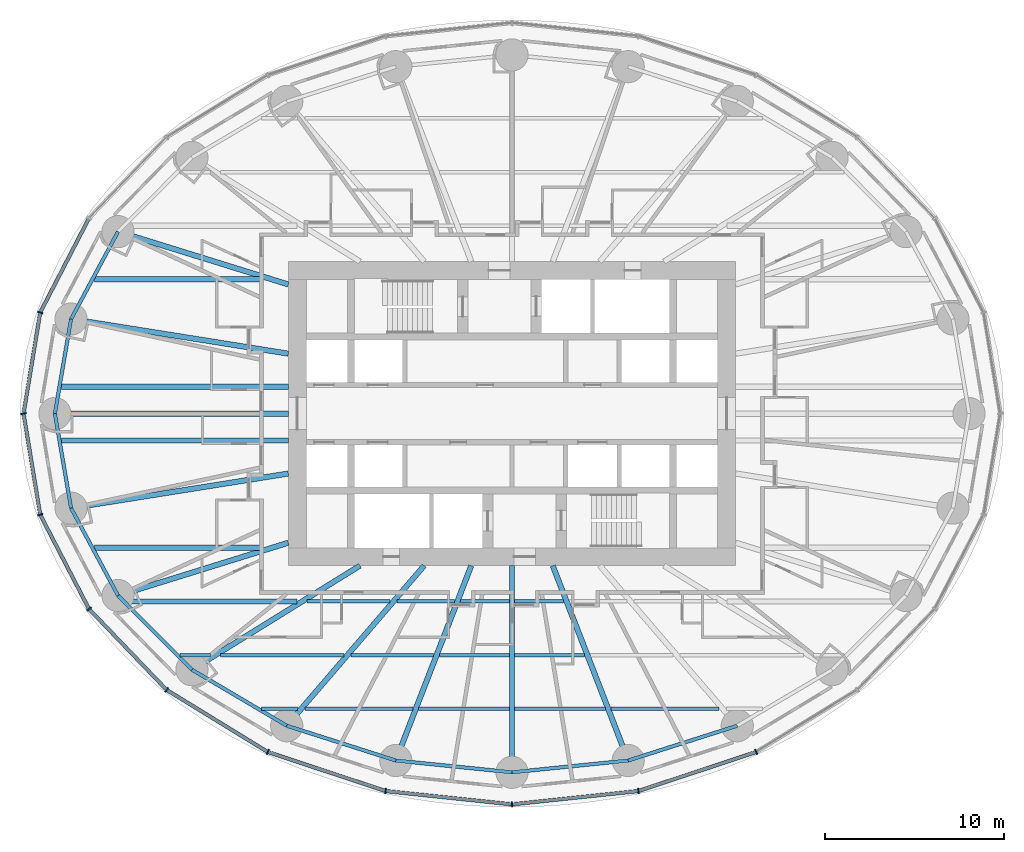
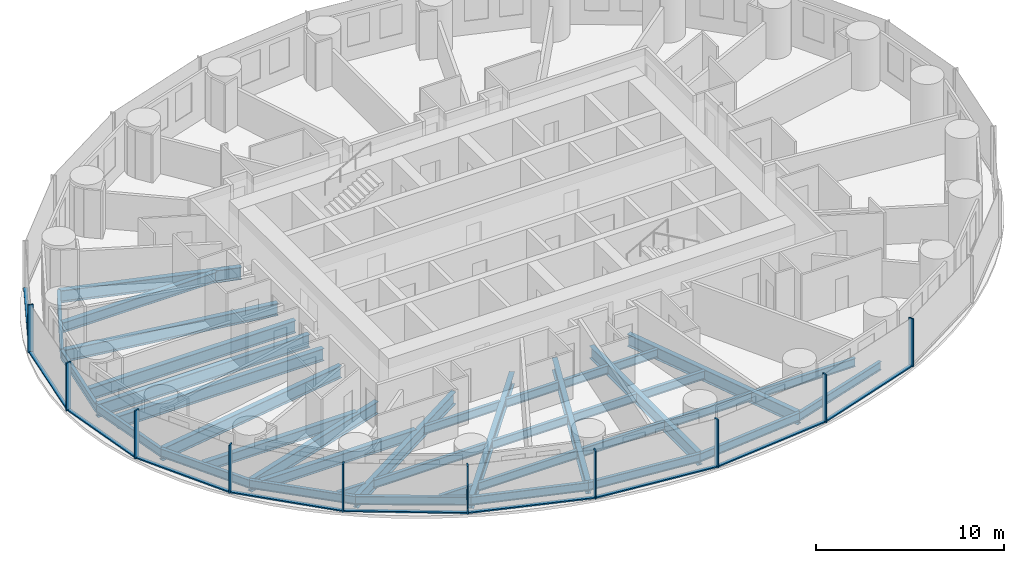
# One storey, part 2 of 14: 39 beams, 20 members, 3 elements without a shape of their own.
"""IFC4 building model written with IfcOpenShell, lengths in metres."""

from ifc_helpers import new_model, si_unit, direction, frame, origin, origin_2d, place, context, subcontext, project, spatial, rectangle, i_section, extrude, material, material_profile, profile_set, type_object, element, aggregate, save


model = new_model("IFC4")

# Units and contexts
model_context = context("Model", 3, precision=1e-05, world=origin(), true_north=direction((0.0, 1.0)))
body_context = subcontext(model_context, "Body", "Model", "MODEL_VIEW")
ifc_project = project(units=[si_unit("LENGTHUNIT", "METRE"), si_unit("AREAUNIT", "SQUARE_METRE"), si_unit("VOLUMEUNIT", "CUBIC_METRE"), si_unit("PLANEANGLEUNIT", "RADIAN"), si_unit("MASSUNIT", "GRAM", prefix="KILO")], contexts=[model_context])

# Site, building, storey
site_placement = place(None, origin())
site = spatial("IfcSite", under=ifc_project, at=site_placement, CompositionType="ELEMENT")
building_placement = place(site_placement, origin())
building = spatial("IfcBuilding", under=site, at=building_placement, Name="Hankou Lantern Tower", CompositionType="ELEMENT")
storey_placement = place(building_placement, frame((0.0, 0.0, 36.0)))
storey = spatial("IfcBuildingStorey", under=building, at=storey_placement, Name="L07", CompositionType="ELEMENT", Elevation=36.0)

# Beams
ifc_material_1 = material(Name="Steel Q355B", Category="steel")
ifc_material_profile_1 = material_profile(ifc_material_1, i_section(OverallWidth=0.199951171875, OverallDepth=0.550048828125, WebThickness=0.010009765625, FlangeThickness=0.01611328125, FilletRadius=0.012939453125, at=origin_2d()), Name="HN550x200x10x16")
ifc_profile_set_1 = profile_set([ifc_material_profile_1], Name="Steel Q355B")
beam_type_1 = type_object("IfcBeamType", Name="EB6 RING BEAM HN550x200x10x16", PredefinedType="SPANDREL", material=ifc_profile_set_1)
beam_1_placement = place(storey_placement, frame((-22.01904296875, 10.170166015625, -0.455078125), z_axis=(-0.473609096023, -0.880735161194, 0.0), x_axis=(0.880735161194, -0.473609096023, 0.0)))
element("IfcBeam", 1, at=beam_1_placement, inside=storey, type_object=beam_type_1, Name="Ring beam R11-R12 L07", PredefinedType="SPANDREL", context=body_context, shape_type="SweptSolid", body=[
    extrude(i_section(OverallWidth=0.199951171875, OverallDepth=0.550048828125, WebThickness=0.010009765625, FlangeThickness=0.01611328125, FilletRadius=0.012939453125, at=origin_2d()), origin(), (0.0, 0.0, 1.0), 5.548828125),
])
for number, where, z_axis, x_axis, name in (
    (2, (-24.64697265625, 5.283203125, -0.455078125), (-0.168489691988, -0.985703415685, 0.0), (0.985703415685, -0.168489691988, 0.0), "Ring beam R12-R13 L07"),
    (3, (-25.550048828125, 0.0, -0.455078125), (0.168489691988, -0.985703415685, 0.0), (0.985703415685, 0.168489691988, 0.0), "Ring beam R13-R14 L07"),
):
    element("IfcBeam", number, at=place(storey_placement, frame(where, z_axis=z_axis, x_axis=x_axis)), inside=storey, type_object=beam_type_1, Name=name, PredefinedType="SPANDREL", context=body_context, shape_type="SweptSolid", body=[
        extrude(i_section(OverallWidth=0.199951171875, OverallDepth=0.550048828125, WebThickness=0.010009765625, FlangeThickness=0.01611328125, FilletRadius=0.012939453125, at=origin_2d()), origin(), (0.0, 0.0, 1.0), 5.35986328125),
    ])
beam_2_placement = place(storey_placement, frame((-24.64697265625, -5.283203125, -0.455078125), z_axis=(0.473609096023, -0.880735161194, 0.0), x_axis=(0.880735161194, 0.473609096023, 0.0)))
element("IfcBeam", 4, at=beam_2_placement, inside=storey, type_object=beam_type_1, Name="Ring beam R14-R15 L07", PredefinedType="SPANDREL", context=body_context, shape_type="SweptSolid", body=[
    extrude(i_section(OverallWidth=0.199951171875, OverallDepth=0.550048828125, WebThickness=0.010009765625, FlangeThickness=0.01611328125, FilletRadius=0.012939453125, at=origin_2d()), origin(), (0.0, 0.0, 1.0), 5.548828125),
])
beam_3_placement = place(storey_placement, frame((-22.01904296875, -10.170166015625, -0.455078125), z_axis=(0.705727798394, -0.708483079949, 0.0), x_axis=(0.708483079949, 0.705727798394, 0.0)))
element("IfcBeam", 5, at=beam_3_placement, inside=storey, type_object=beam_type_1, Name="Ring beam R15-R16 L07", PredefinedType="SPANDREL", context=body_context, shape_type="SweptSolid", body=[
    extrude(i_section(OverallWidth=0.199951171875, OverallDepth=0.550048828125, WebThickness=0.010009765625, FlangeThickness=0.01611328125, FilletRadius=0.012939453125, at=origin_2d()), origin(), (0.0, 0.0, 1.0), 5.84814453125),
])
beam_4_placement = place(storey_placement, frame((-17.891845703125, -14.3134765625, -0.455078125), z_axis=(0.860881533543, -0.508805449268, 0.0), x_axis=(0.508805449268, 0.860881533543, 0.0)))
element("IfcBeam", 6, at=beam_4_placement, inside=storey, type_object=beam_type_1, Name="Ring beam R16-R17 L07", PredefinedType="SPANDREL", context=body_context, shape_type="SweptSolid", body=[
    extrude(i_section(OverallWidth=0.199951171875, OverallDepth=0.550048828125, WebThickness=0.010009765625, FlangeThickness=0.01611328125, FilletRadius=0.012939453125, at=origin_2d()), origin(), (0.0, 0.0, 1.0), 6.15771484375),
])
beam_5_placement = place(storey_placement, frame((-12.5908203125, -17.446533203125, -0.455078125), z_axis=(0.952690479428, -0.303942182671, 0.0), x_axis=(0.303942182671, 0.952690479428, 0.0)))
element("IfcBeam", 7, at=beam_5_placement, inside=storey, type_object=beam_type_1, Name="Ring beam R17-R18 L07", PredefinedType="SPANDREL", context=body_context, shape_type="SweptSolid", body=[
    extrude(i_section(OverallWidth=0.199951171875, OverallDepth=0.550048828125, WebThickness=0.010009765625, FlangeThickness=0.01611328125, FilletRadius=0.012939453125, at=origin_2d()), origin(), (0.0, 0.0, 1.0), 6.398681640625),
])
for number, where, z_axis, x_axis, name in (
    (8, (-6.494873046875, -19.391357421875, -0.455078125), (0.994896616842, -0.100899562915, 0.0), (0.100899562915, 0.994896616842, 0.0), "Ring beam R18-R19 L07"),
    (9, (0.0, -20.050048828125, -0.455078125), (0.994896616842, 0.100899562915, 0.0), (-0.100899562915, 0.994896616842, 0.0), "Ring beam R19-R20 L07"),
):
    element("IfcBeam", number, at=place(storey_placement, frame(where, z_axis=z_axis, x_axis=x_axis)), inside=storey, type_object=beam_type_1, Name=name, PredefinedType="SPANDREL", context=body_context, shape_type="SweptSolid", body=[
        extrude(i_section(OverallWidth=0.199951171875, OverallDepth=0.550048828125, WebThickness=0.010009765625, FlangeThickness=0.01611328125, FilletRadius=0.012939453125, at=origin_2d()), origin(), (0.0, 0.0, 1.0), 6.528076171875),
    ])
beam_6_placement = place(storey_placement, frame((6.494873046875, -19.391357421875, -0.455078125), z_axis=(0.952690479428, 0.303942182671, 0.0), x_axis=(-0.303942182671, 0.952690479428, 0.0)))
element("IfcBeam", 10, at=beam_6_placement, inside=storey, type_object=beam_type_1, Name="Ring beam R20-R21 L07", PredefinedType="SPANDREL", context=body_context, shape_type="SweptSolid", body=[
    extrude(i_section(OverallWidth=0.199951171875, OverallDepth=0.550048828125, WebThickness=0.010009765625, FlangeThickness=0.01611328125, FilletRadius=0.012939453125, at=origin_2d()), origin(), (0.0, 0.0, 1.0), 6.398681640625),
])

# Curtain wall, member
ifc_material_2 = material(Name="Glass, dark grey tinted laminated", Category="glass")
curtain_wall_type = type_object("IfcCurtainWallType", Name="CWA OUTER SKIN LOW-RISE", PredefinedType="USERDEFINED", material=ifc_material_2)
curtain_wall_1_placement = place(storey_placement, origin())
curtain_wall_1 = element("IfcCurtainWall", 11, at=curtain_wall_1_placement, inside=storey, type_object=curtain_wall_type, Name="CWA L07 OS2", ObjectType="OUTER SKIN LOW-RISE", PredefinedType="USERDEFINED")
ifc_material_3 = material(Name="Aluminium, black anodised", Category="aluminium")
ifc_material_profile_2 = material_profile(ifc_material_3, rectangle(XDim=0.080078125, YDim=0.300048828125, at=origin_2d()), Name="MU1 80X300")
ifc_profile_set_2 = profile_set([ifc_material_profile_2], Name="Aluminium, black anodised")
member_type_1 = type_object("IfcMemberType", Name="MU1 OUTER SKIN MULLION 80X300", PredefinedType="MULLION", material=ifc_profile_set_2)
member_1_placement = place(storey_placement, frame((-26.369873046875, 5.652587890625, 0.0), z_axis=(0.0, 0.0, 1.0), x_axis=(-0.317595577365, -0.94822626479, 0.0)))
member_1 = element("IfcMember", 12, at=member_1_placement, type_object=member_type_1, Name="CWA mullion 6", PredefinedType="MULLION", context=body_context, shape_type="SweptSolid", body=[
    extrude(rectangle(XDim=0.080078125, YDim=0.300048828125, at=origin_2d()), origin(), (0.0, 0.0, 1.0), 3.1201171875),
])

# Curtain wall, members
curtain_wall_2_placement = place(storey_placement, origin())
curtain_wall_2 = element("IfcCurtainWall", 13, at=curtain_wall_2_placement, inside=storey, type_object=curtain_wall_type, Name="CWA L07 OS3", ObjectType="OUTER SKIN LOW-RISE", PredefinedType="USERDEFINED")
member_2_placement = place(storey_placement, frame((-27.300048828125, 0.0, 0.0), z_axis=(0.0, 0.0, 1.0), x_axis=(0.162381515188, -0.986728049427, 0.0)))
member_2 = element("IfcMember", 14, at=member_2_placement, type_object=member_type_1, Name="CWA mullion 1", PredefinedType="MULLION", context=body_context, shape_type="SweptSolid", body=[
    extrude(rectangle(XDim=0.080078125, YDim=0.300048828125, at=origin_2d()), origin(), (0.0, 0.0, 1.0), 3.1201171875),
])
member_3_placement = place(storey_placement, frame((-26.369873046875, -5.652587890625, 0.0), z_axis=(0.0, 0.0, 1.0), x_axis=(0.317595577365, -0.94822626479, 0.0)))
member_3 = element("IfcMember", 15, at=member_3_placement, type_object=member_type_1, Name="CWA mullion 2", PredefinedType="MULLION", context=body_context, shape_type="SweptSolid", body=[
    extrude(rectangle(XDim=0.080078125, YDim=0.300048828125, at=origin_2d()), origin(), (0.0, 0.0, 1.0), 3.1201171875),
])
member_4_placement = place(storey_placement, frame((-23.642578125, -10.919921875, 0.0), z_axis=(0.0, 0.0, 1.0), x_axis=(0.585205735974, -0.810884854084, 0.0)))
member_4 = element("IfcMember", 16, at=member_4_placement, type_object=member_type_1, Name="CWA mullion 3", PredefinedType="MULLION", context=body_context, shape_type="SweptSolid", body=[
    extrude(rectangle(XDim=0.080078125, YDim=0.300048828125, at=origin_2d()), origin(), (0.0, 0.0, 1.0), 3.1201171875),
])
member_5_placement = place(storey_placement, frame((-19.303955078125, -15.443115234375, 0.0), z_axis=(0.0, 0.0, 1.0), x_axis=(0.780868809444, -0.624695047553, 0.0)))
member_5 = element("IfcMember", 17, at=member_5_placement, type_object=member_type_1, Name="CWA mullion 4", PredefinedType="MULLION", context=body_context, shape_type="SweptSolid", body=[
    extrude(rectangle(XDim=0.080078125, YDim=0.300048828125, at=origin_2d()), origin(), (0.0, 0.0, 1.0), 3.1201171875),
])
member_6_placement = place(storey_placement, frame((-13.64990234375, -18.9140625, 0.0), z_axis=(0.0, 0.0, 1.0), x_axis=(0.907841299004, -0.419313934686, 0.0)))
member_6 = element("IfcMember", 18, at=member_6_placement, type_object=member_type_1, Name="CWA mullion 5", PredefinedType="MULLION", context=body_context, shape_type="SweptSolid", body=[
    extrude(rectangle(XDim=0.080078125, YDim=0.300048828125, at=origin_2d()), origin(), (0.0, 0.0, 1.0), 3.1201171875),
])
member_7_placement = place(storey_placement, frame((-7.065673828125, -21.095703125, 0.0), z_axis=(0.0, 0.0, 1.0), x_axis=(0.977787659625, -0.209597931016, 0.0)))
member_7 = element("IfcMember", 19, at=member_7_placement, type_object=member_type_1, Name="CWA mullion 6", PredefinedType="MULLION", context=body_context, shape_type="SweptSolid", body=[
    extrude(rectangle(XDim=0.080078125, YDim=0.300048828125, at=origin_2d()), origin(), (0.0, 0.0, 1.0), 3.1201171875),
])

curtain_wall_3_placement = place(storey_placement, origin())
curtain_wall_3 = element("IfcCurtainWall", 20, at=curtain_wall_3_placement, inside=storey, type_object=curtain_wall_type, Name="CWA L07 OS4", ObjectType="OUTER SKIN LOW-RISE", PredefinedType="USERDEFINED")
member_8_placement = place(storey_placement, frame((0.0, -21.840087890625, 0.0), z_axis=(0.0, 0.0, 1.0), x_axis=(0.994499359107, 0.104742659579, 0.0)))
member_8 = element("IfcMember", 21, at=member_8_placement, type_object=member_type_1, Name="CWA mullion 1", PredefinedType="MULLION", context=body_context, shape_type="SweptSolid", body=[
    extrude(rectangle(XDim=0.080078125, YDim=0.300048828125, at=origin_2d()), origin(), (0.0, 0.0, 1.0), 3.1201171875),
])
member_9_placement = place(storey_placement, frame((7.065673828125, -21.095703125, 0.0), z_axis=(0.0, 0.0, 1.0), x_axis=(0.977787659625, 0.209597931016, 0.0)))
member_9 = element("IfcMember", 22, at=member_9_placement, type_object=member_type_1, Name="CWA mullion 2", PredefinedType="MULLION", context=body_context, shape_type="SweptSolid", body=[
    extrude(rectangle(XDim=0.080078125, YDim=0.300048828125, at=origin_2d()), origin(), (0.0, 0.0, 1.0), 3.1201171875),
])
member_10_placement = place(storey_placement, frame((13.64990234375, -18.9140625, 0.0), z_axis=(0.0, 0.0, 1.0), x_axis=(0.907841299004, 0.419313934686, 0.0)))
member_10 = element("IfcMember", 23, at=member_10_placement, type_object=member_type_1, Name="CWA mullion 3", PredefinedType="MULLION", context=body_context, shape_type="SweptSolid", body=[
    extrude(rectangle(XDim=0.080078125, YDim=0.300048828125, at=origin_2d()), origin(), (0.0, 0.0, 1.0), 3.1201171875),
])

# Beams
ifc_material_4 = material(Name="Steel Q355B", Category="steel")
ifc_material_profile_3 = material_profile(ifc_material_4, i_section(OverallWidth=0.300048828125, OverallDepth=0.800048828125, WebThickness=0.013916015625, FlangeThickness=0.02587890625, FilletRadius=0.01806640625, at=origin_2d()), Name="HN800x300x14x26")
ifc_profile_set_3 = profile_set([ifc_material_profile_3], Name="Steel Q355B")
beam_type_2 = type_object("IfcBeamType", Name="RB11 RADIAL BEAM HN800x300x14x26", PredefinedType="BEAM", material=ifc_profile_set_3)
beam_7_placement = place(storey_placement, frame((-12.5, 7.216796875, -0.580078125), z_axis=(-0.955087327755, 0.29632447817, 0.0), x_axis=(-0.29632447817, -0.955087327755, 0.0)))
element("IfcBeam", 24, at=beam_7_placement, inside=storey, type_object=beam_type_2, Name="Radial beam R11 L07", PredefinedType="BEAM", context=body_context, shape_type="SweptSolid", body=[
    extrude(i_section(OverallWidth=0.300048828125, OverallDepth=0.800048828125, WebThickness=0.013916015625, FlangeThickness=0.02587890625, FilletRadius=0.01806640625, at=origin_2d()), origin(), (0.0, 0.0, 1.0), 9.966552734375),
])
for number, where, z_axis, x_axis, name in (
    (25, (-12.5, 3.349365234375, -0.580078125), (-0.987563081343, 0.157223281893, 0.0), (-0.157223281893, -0.987563081343, 0.0), "Radial beam R12 L07"),
    (26, (-12.5, -3.349365234375, -0.580078125), (-0.987563081343, -0.157223281893, 0.0), (0.157223281893, -0.987563081343, 0.0), "Radial beam R14 L07"),
):
    element("IfcBeam", number, at=place(storey_placement, frame(where, z_axis=z_axis, x_axis=x_axis)), inside=storey, type_object=beam_type_2, Name=name, PredefinedType="BEAM", context=body_context, shape_type="SweptSolid", body=[
        extrude(i_section(OverallWidth=0.300048828125, OverallDepth=0.800048828125, WebThickness=0.013916015625, FlangeThickness=0.02587890625, FilletRadius=0.01806640625, at=origin_2d()), origin(), (0.0, 0.0, 1.0), 12.300048828125),
    ])
beam_8_placement = place(storey_placement, frame((-12.5, -7.216796875, -0.580078125), z_axis=(-0.955087327755, -0.29632447817, 0.0), x_axis=(0.29632447817, -0.955087327755, 0.0)))
element("IfcBeam", 27, at=beam_8_placement, inside=storey, type_object=beam_type_2, Name="Radial beam R15 L07", PredefinedType="BEAM", context=body_context, shape_type="SweptSolid", body=[
    extrude(i_section(OverallWidth=0.300048828125, OverallDepth=0.800048828125, WebThickness=0.013916015625, FlangeThickness=0.02587890625, FilletRadius=0.01806640625, at=origin_2d()), origin(), (0.0, 0.0, 1.0), 9.966552734375),
])
beam_9_placement = place(storey_placement, frame((-8.5, -8.5, -0.580078125), z_axis=(-0.850286343288, -0.526320372414, 0.0), x_axis=(0.526320372414, -0.850286343288, 0.0)))
element("IfcBeam", 28, at=beam_9_placement, inside=storey, type_object=beam_type_2, Name="Radial beam R16 L07", PredefinedType="BEAM", context=body_context, shape_type="SweptSolid", body=[
    extrude(i_section(OverallWidth=0.300048828125, OverallDepth=0.800048828125, WebThickness=0.013916015625, FlangeThickness=0.02587890625, FilletRadius=0.01806640625, at=origin_2d()), origin(), (0.0, 0.0, 1.0), 11.04541015625),
])
beam_10_placement = place(storey_placement, frame((-4.907470703125, -8.5, -0.580078125), z_axis=(-0.651519061225, -0.758632264579, 0.0), x_axis=(0.758632264579, -0.651519061225, 0.0)))
element("IfcBeam", 29, at=beam_10_placement, inside=storey, type_object=beam_type_2, Name="Radial beam R17 L07", PredefinedType="BEAM", context=body_context, shape_type="SweptSolid", body=[
    extrude(i_section(OverallWidth=0.300048828125, OverallDepth=0.800048828125, WebThickness=0.013916015625, FlangeThickness=0.02587890625, FilletRadius=0.01806640625, at=origin_2d()), origin(), (0.0, 0.0, 1.0), 11.79296875),
])
beam_11_placement = place(storey_placement, frame((-2.277587890625, -8.5, -0.580078125), z_axis=(-0.361089103374, -0.932531318201, 0.0), x_axis=(0.932531318201, -0.361089103374, 0.0)))
element("IfcBeam", 30, at=beam_11_placement, inside=storey, type_object=beam_type_2, Name="Radial beam R18 L07", PredefinedType="BEAM", context=body_context, shape_type="SweptSolid", body=[
    extrude(i_section(OverallWidth=0.300048828125, OverallDepth=0.800048828125, WebThickness=0.013916015625, FlangeThickness=0.02587890625, FilletRadius=0.01806640625, at=origin_2d()), origin(), (0.0, 0.0, 1.0), 11.679443359375),
])
beam_12_placement = place(storey_placement, frame((0.0, -8.5, -0.580078125), z_axis=(0.0, -1.0, 0.0), x_axis=(1.0, 0.0, 0.0)))
element("IfcBeam", 31, at=beam_12_placement, inside=storey, type_object=beam_type_2, Name="Radial beam R19 L07", PredefinedType="BEAM", context=body_context, shape_type="SweptSolid", body=[
    extrude(i_section(OverallWidth=0.300048828125, OverallDepth=0.800048828125, WebThickness=0.013916015625, FlangeThickness=0.02587890625, FilletRadius=0.01806640625, at=origin_2d()), origin(), (0.0, 0.0, 1.0), 11.550048828125),
])
beam_13_placement = place(storey_placement, frame((2.277587890625, -8.5, -0.580078125), z_axis=(0.361089103374, -0.932531318201, 0.0), x_axis=(0.932531318201, 0.361089103374, 0.0)))
element("IfcBeam", 32, at=beam_13_placement, inside=storey, type_object=beam_type_2, Name="Radial beam R20 L07", PredefinedType="BEAM", context=body_context, shape_type="SweptSolid", body=[
    extrude(i_section(OverallWidth=0.300048828125, OverallDepth=0.800048828125, WebThickness=0.013916015625, FlangeThickness=0.02587890625, FilletRadius=0.01806640625, at=origin_2d()), origin(), (0.0, 0.0, 1.0), 11.679443359375),
])
ifc_material_5 = material(Name="Steel Q355B", Category="steel")
ifc_material_profile_4 = material_profile(ifc_material_5, i_section(OverallWidth=0.300048828125, OverallDepth=0.85009765625, WebThickness=0.01611328125, FlangeThickness=0.027099609375, FilletRadius=0.01806640625, at=origin_2d()), Name="HN850x300x16x27")
ifc_profile_set_4 = profile_set([ifc_material_profile_4], Name="Steel Q355B")
beam_type_3 = type_object("IfcBeamType", Name="RB12 RADIAL BEAM HN850x300x16x27", PredefinedType="BEAM", material=ifc_profile_set_4)
beam_14_placement = place(storey_placement, frame((-12.5, 0.0, -0.60498046875), z_axis=(-1.0, 0.0, 0.0), x_axis=(0.0, -1.0, 0.0)))
element("IfcBeam", 33, at=beam_14_placement, inside=storey, type_object=beam_type_3, Name="Radial beam R13 L07", PredefinedType="BEAM", context=body_context, shape_type="SweptSolid", body=[
    extrude(i_section(OverallWidth=0.300048828125, OverallDepth=0.85009765625, WebThickness=0.01611328125, FlangeThickness=0.027099609375, FilletRadius=0.01806640625, at=origin_2d()), origin(), (0.0, 0.0, 1.0), 13.050048828125),
])
ifc_material_6 = material(Name="Steel Q355B", Category="steel")
ifc_material_profile_5 = material_profile(ifc_material_6, i_section(OverallWidth=0.300048828125, OverallDepth=0.800048828125, WebThickness=0.013916015625, FlangeThickness=0.02587890625, FilletRadius=0.01806640625, at=origin_2d()), Name="HN800x300x14x26")
ifc_profile_set_5 = profile_set([ifc_material_profile_5], Name="Steel Q355B")
beam_type_4 = type_object("IfcBeamType", Name="SB11 SECONDARY BEAM HN800x300x14x26", PredefinedType="JOIST", material=ifc_profile_set_5)
for number, where, z_axis, x_axis, name in (
    (34, (-25.192138671875, -1.5, -0.580078125), (1.0, 0.0, 0.0), (0.0, 1.0, 0.0), "Floor joist J029 L07"),
    (35, (-25.192138671875, 1.5, -0.580078125), (1.0, 0.0, 0.0), (0.0, 1.0, 0.0), "Floor joist J031 L07"),
):
    element("IfcBeam", number, at=place(storey_placement, frame(where, z_axis=z_axis, x_axis=x_axis)), inside=storey, type_object=beam_type_4, Name=name, PredefinedType="JOIST", context=body_context, shape_type="SweptSolid", body=[
        extrude(i_section(OverallWidth=0.300048828125, OverallDepth=0.800048828125, WebThickness=0.013916015625, FlangeThickness=0.02587890625, FilletRadius=0.01806640625, at=origin_2d()), origin(), (0.0, 0.0, 1.0), 12.692138671875),
    ])
ifc_material_7 = material(Name="Steel Q355B", Category="steel")
ifc_material_profile_6 = material_profile(ifc_material_7, i_section(OverallWidth=0.199951171875, OverallDepth=0.550048828125, WebThickness=0.010009765625, FlangeThickness=0.01611328125, FilletRadius=0.012939453125, at=origin_2d()), Name="HN550x200x10x16")
ifc_profile_set_6 = profile_set([ifc_material_profile_6], Name="Steel Q355B")
beam_type_5 = type_object("IfcBeamType", Name="SB6 SECONDARY BEAM HN550x200x10x16", PredefinedType="JOIST", material=ifc_profile_set_6)
beam_15_placement = place(storey_placement, frame((-13.99560546875, -16.5, -0.455078125), z_axis=(1.0, 0.0, 0.0), x_axis=(0.0, 1.0, 0.0)))
element("IfcBeam", 36, at=beam_15_placement, inside=storey, type_object=beam_type_5, Name="Floor joist J001 L07", PredefinedType="JOIST", context=body_context, shape_type="SweptSolid", body=[
    extrude(i_section(OverallWidth=0.199951171875, OverallDepth=0.550048828125, WebThickness=0.010009765625, FlangeThickness=0.01611328125, FilletRadius=0.012939453125, at=origin_2d()), origin(), (0.0, 0.0, 1.0), 2.019775390625),
])
beam_16_placement = place(storey_placement, frame((-11.580322265625, -16.5, -0.455078125), z_axis=(1.0, 0.0, 0.0), x_axis=(0.0, 1.0, 0.0)))
element("IfcBeam", 37, at=beam_16_placement, inside=storey, type_object=beam_type_5, Name="Floor joist J002 L07", PredefinedType="JOIST", context=body_context, shape_type="SweptSolid", body=[
    extrude(i_section(OverallWidth=0.199951171875, OverallDepth=0.550048828125, WebThickness=0.010009765625, FlangeThickness=0.01611328125, FilletRadius=0.012939453125, at=origin_2d()), origin(), (0.0, 0.0, 1.0), 6.044189453125),
])
for number, where, z_axis, x_axis, name in (
    (38, (-5.21435546875, -16.5, -0.455078125), (1.0, 0.0, 0.0), (0.0, 1.0, 0.0), "Floor joist J003 L07"),
    (39, (0.14990234375, -16.5, -0.455078125), (1.0, 0.0, 0.0), (0.0, 1.0, 0.0), "Floor joist J004 L07"),
):
    element("IfcBeam", number, at=place(storey_placement, frame(where, z_axis=z_axis, x_axis=x_axis)), inside=storey, type_object=beam_type_5, Name=name, PredefinedType="JOIST", context=body_context, shape_type="SweptSolid", body=[
        extrude(i_section(OverallWidth=0.199951171875, OverallDepth=0.550048828125, WebThickness=0.010009765625, FlangeThickness=0.01611328125, FilletRadius=0.012939453125, at=origin_2d()), origin(), (0.0, 0.0, 1.0), 5.064453125),
    ])
beam_17_placement = place(storey_placement, frame((5.5361328125, -16.5, -0.455078125), z_axis=(1.0, 0.0, 0.0), x_axis=(0.0, 1.0, 0.0)))
element("IfcBeam", 40, at=beam_17_placement, inside=storey, type_object=beam_type_5, Name="Floor joist J005 L07", PredefinedType="JOIST", context=body_context, shape_type="SweptSolid", body=[
    extrude(i_section(OverallWidth=0.199951171875, OverallDepth=0.550048828125, WebThickness=0.010009765625, FlangeThickness=0.01611328125, FilletRadius=0.012939453125, at=origin_2d()), origin(), (0.0, 0.0, 1.0), 6.044189453125),
])
beam_18_placement = place(storey_placement, frame((-18.560791015625, -13.5, -0.455078125), z_axis=(1.0, 0.0, 0.0), x_axis=(0.0, 1.0, 0.0)))
element("IfcBeam", 41, at=beam_18_placement, inside=storey, type_object=beam_type_5, Name="Floor joist J007 L07", PredefinedType="JOIST", context=body_context, shape_type="SweptSolid", body=[
    extrude(i_section(OverallWidth=0.199951171875, OverallDepth=0.550048828125, WebThickness=0.010009765625, FlangeThickness=0.01611328125, FilletRadius=0.012939453125, at=origin_2d()), origin(), (0.0, 0.0, 1.0), 1.697998046875),
])
beam_19_placement = place(storey_placement, frame((-16.292724609375, -13.5, -0.455078125), z_axis=(1.0, 0.0, 0.0), x_axis=(0.0, 1.0, 0.0)))
element("IfcBeam", 42, at=beam_19_placement, inside=storey, type_object=beam_type_5, Name="Floor joist J008 L07", PredefinedType="JOIST", context=body_context, shape_type="SweptSolid", body=[
    extrude(i_section(OverallWidth=0.199951171875, OverallDepth=0.550048828125, WebThickness=0.010009765625, FlangeThickness=0.01611328125, FilletRadius=0.012939453125, at=origin_2d()), origin(), (0.0, 0.0, 1.0), 6.893310546875),
])
beam_20_placement = place(storey_placement, frame((-9.00390625, -13.5, -0.455078125), z_axis=(1.0, 0.0, 0.0), x_axis=(0.0, 1.0, 0.0)))
element("IfcBeam", 43, at=beam_20_placement, inside=storey, type_object=beam_type_5, Name="Floor joist J009 L07", PredefinedType="JOIST", context=body_context, shape_type="SweptSolid", body=[
    extrude(i_section(OverallWidth=0.199951171875, OverallDepth=0.550048828125, WebThickness=0.010009765625, FlangeThickness=0.01611328125, FilletRadius=0.012939453125, at=origin_2d()), origin(), (0.0, 0.0, 1.0), 4.62939453125),
])
for number, where, z_axis, x_axis, name in (
    (44, (-4.052734375, -13.5, -0.455078125), (1.0, 0.0, 0.0), (0.0, 1.0, 0.0), "Floor joist J010 L07"),
    (45, (0.14990234375, -13.5, -0.455078125), (1.0, 0.0, 0.0), (0.0, 1.0, 0.0), "Floor joist J011 L07"),
):
    element("IfcBeam", number, at=place(storey_placement, frame(where, z_axis=z_axis, x_axis=x_axis)), inside=storey, type_object=beam_type_5, Name=name, PredefinedType="JOIST", context=body_context, shape_type="SweptSolid", body=[
        extrude(i_section(OverallWidth=0.199951171875, OverallDepth=0.550048828125, WebThickness=0.010009765625, FlangeThickness=0.01611328125, FilletRadius=0.012939453125, at=origin_2d()), origin(), (0.0, 0.0, 1.0), 3.90283203125),
    ])
beam_21_placement = place(storey_placement, frame((-11.446044921875, -10.5, -0.455078125), z_axis=(1.0, 0.0, 0.0), x_axis=(0.0, 1.0, 0.0)))
element("IfcBeam", 46, at=beam_21_placement, inside=storey, type_object=beam_type_5, Name="Floor joist J016 L07", PredefinedType="JOIST", context=body_context, shape_type="SweptSolid", body=[
    extrude(i_section(OverallWidth=0.199951171875, OverallDepth=0.550048828125, WebThickness=0.010009765625, FlangeThickness=0.01611328125, FilletRadius=0.012939453125, at=origin_2d()), origin(), (0.0, 0.0, 1.0), 4.623291015625),
])
beam_22_placement = place(storey_placement, frame((-6.427490234375, -10.5, -0.455078125), z_axis=(1.0, 0.0, 0.0), x_axis=(0.0, 1.0, 0.0)))
element("IfcBeam", 47, at=beam_22_placement, inside=storey, type_object=beam_type_5, Name="Floor joist J017 L07", PredefinedType="JOIST", context=body_context, shape_type="SweptSolid", body=[
    extrude(i_section(OverallWidth=0.199951171875, OverallDepth=0.550048828125, WebThickness=0.010009765625, FlangeThickness=0.01611328125, FilletRadius=0.012939453125, at=origin_2d()), origin(), (0.0, 0.0, 1.0), 3.214599609375),
])
for number, where, z_axis, x_axis, name in (
    (48, (-2.89111328125, -10.5, -0.455078125), (1.0, 0.0, 0.0), (0.0, 1.0, 0.0), "Floor joist J018 L07"),
    (49, (0.14990234375, -10.5, -0.455078125), (1.0, 0.0, 0.0), (0.0, 1.0, 0.0), "Floor joist J019 L07"),
):
    element("IfcBeam", number, at=place(storey_placement, frame(where, z_axis=z_axis, x_axis=x_axis)), inside=storey, type_object=beam_type_5, Name=name, PredefinedType="JOIST", context=body_context, shape_type="SweptSolid", body=[
        extrude(i_section(OverallWidth=0.199951171875, OverallDepth=0.550048828125, WebThickness=0.010009765625, FlangeThickness=0.01611328125, FilletRadius=0.012939453125, at=origin_2d()), origin(), (0.0, 0.0, 1.0), 2.7412109375),
    ])
ifc_material_8 = material(Name="Steel Q355B", Category="steel")
ifc_material_profile_7 = material_profile(ifc_material_8, i_section(OverallWidth=0.300048828125, OverallDepth=0.64990234375, WebThickness=0.010986328125, FlangeThickness=0.01708984375, FilletRadius=0.01806640625, at=origin_2d()), Name="HN650x300x11x17")
ifc_profile_set_7 = profile_set([ifc_material_profile_7], Name="Steel Q355B")
beam_type_6 = type_object("IfcBeamType", Name="SB8 SECONDARY BEAM HN650x300x11x17", PredefinedType="JOIST", material=ifc_profile_set_7)
beam_23_placement = place(storey_placement, frame((-21.54931640625, -10.5, -0.5048828125), z_axis=(1.0, 0.0, 0.0), x_axis=(0.0, 1.0, 0.0)))
element("IfcBeam", 50, at=beam_23_placement, inside=storey, type_object=beam_type_6, Name="Floor joist J015 L07", PredefinedType="JOIST", context=body_context, shape_type="SweptSolid", body=[
    extrude(i_section(OverallWidth=0.300048828125, OverallDepth=0.64990234375, WebThickness=0.010986328125, FlangeThickness=0.01708984375, FilletRadius=0.01806640625, at=origin_2d()), origin(), (0.0, 0.0, 1.0), 9.533203125),
])
for number, where, z_axis, x_axis, name in (
    (51, (-23.341552734375, -7.5, -0.5048828125), (1.0, 0.0, 0.0), (0.0, 1.0, 0.0), "Floor joist J023 L07"),
    (52, (-23.341552734375, 7.5, -0.5048828125), (1.0, 0.0, 0.0), (0.0, 1.0, 0.0), "Floor joist J037 L07"),
):
    element("IfcBeam", number, at=place(storey_placement, frame(where, z_axis=z_axis, x_axis=x_axis)), inside=storey, type_object=beam_type_6, Name=name, PredefinedType="JOIST", context=body_context, shape_type="SweptSolid", body=[
        extrude(i_section(OverallWidth=0.300048828125, OverallDepth=0.64990234375, WebThickness=0.010986328125, FlangeThickness=0.01708984375, FilletRadius=0.01806640625, at=origin_2d()), origin(), (0.0, 0.0, 1.0), 9.4228515625),
    ])

# Member
ifc_material_9 = material(Name="Aluminium, black anodised", Category="aluminium")
ifc_material_profile_8 = material_profile(ifc_material_9, rectangle(XDim=0.199951171875, YDim=0.080078125, at=origin_2d()), Name="TR1 200X80")
ifc_profile_set_8 = profile_set([ifc_material_profile_8], Name="Aluminium, black anodised")
member_type_2 = type_object("IfcMemberType", Name="TR1 OUTER SKIN TRANSOM 200X80", PredefinedType="USERDEFINED", material=ifc_profile_set_8)
member_11_placement = place(storey_placement, frame((-23.660888671875, 10.884521484375, 0.0400390625), z_axis=(-0.459786096495, -0.888029698529, 0.0), x_axis=(0.888029698529, -0.459786096495, 0.0)))
member_11 = element("IfcMember", 53, at=member_11_placement, type_object=member_type_2, Name="CWA transom 5", ObjectType="TRANSOM", PredefinedType="USERDEFINED", context=body_context, shape_type="SweptSolid", body=[
    extrude(rectangle(XDim=0.199951171875, YDim=0.080078125, at=origin_2d()), origin(), (0.0, 0.0, 1.0), 5.8515625),
])

member_12_placement = place(storey_placement, frame((-26.376220703125, 5.613037109375, 0.0400390625), z_axis=(-0.162387045529, -0.986727139307, 0.0), x_axis=(0.986727139307, -0.162387045529, 0.0)))
member_12 = element("IfcMember", 54, at=member_12_placement, type_object=member_type_2, Name="CWA transom 6", ObjectType="TRANSOM", PredefinedType="USERDEFINED", context=body_context, shape_type="SweptSolid", body=[
    extrude(rectangle(XDim=0.199951171875, YDim=0.080078125, at=origin_2d()), origin(), (0.0, 0.0, 1.0), 5.6484375),
])

aggregate(curtain_wall_1, [member_1, member_11, member_12])

member_13_placement = place(storey_placement, frame((-27.29345703125, -0.03955078125, 0.0400390625), z_axis=(0.162387045529, -0.986727139307, 0.0), x_axis=(0.986727139307, 0.162387045529, 0.0)))
member_13 = element("IfcMember", 55, at=member_13_placement, type_object=member_type_2, Name="CWA transom 1", ObjectType="TRANSOM", PredefinedType="USERDEFINED", context=body_context, shape_type="SweptSolid", body=[
    extrude(rectangle(XDim=0.199951171875, YDim=0.080078125, at=origin_2d()), origin(), (0.0, 0.0, 1.0), 5.6484375),
])

member_14_placement = place(storey_placement, frame((-26.351318359375, -5.688232421875, 0.0400390625), z_axis=(0.459786096495, -0.888029698529, 0.0), x_axis=(0.888029698529, 0.459786096495, 0.0)))
member_14 = element("IfcMember", 56, at=member_14_placement, type_object=member_type_2, Name="CWA transom 2", ObjectType="TRANSOM", PredefinedType="USERDEFINED", context=body_context, shape_type="SweptSolid", body=[
    extrude(rectangle(XDim=0.199951171875, YDim=0.080078125, at=origin_2d()), origin(), (0.0, 0.0, 1.0), 5.8515625),
])

member_15_placement = place(storey_placement, frame((-23.61474609375, -10.948974609375, 0.0400390625), z_axis=(0.692215537374, -0.721690827029, 0.0), x_axis=(0.721690827029, 0.692215537374, 0.0)))
member_15 = element("IfcMember", 57, at=member_15_placement, type_object=member_type_2, Name="CWA transom 3", ObjectType="TRANSOM", PredefinedType="USERDEFINED", context=body_context, shape_type="SweptSolid", body=[
    extrude(rectangle(XDim=0.199951171875, YDim=0.080078125, at=origin_2d()), origin(), (0.0, 0.0, 1.0), 6.187255859375),
])

member_16_placement = place(storey_placement, frame((-19.27001953125, -15.464111328125, 0.0400390625), z_axis=(0.85223969557, -0.523151508929, 0.0), x_axis=(0.523151508929, 0.85223969557, 0.0)))
member_16 = element("IfcMember", 58, at=member_16_placement, type_object=member_type_2, Name="CWA transom 4", ObjectType="TRANSOM", PredefinedType="USERDEFINED", context=body_context, shape_type="SweptSolid", body=[
    extrude(rectangle(XDim=0.199951171875, YDim=0.080078125, at=origin_2d()), origin(), (0.0, 0.0, 1.0), 6.554443359375),
])

member_17_placement = place(storey_placement, frame((-13.612060546875, -18.926513671875, 0.0400390625), z_axis=(0.949237318771, -0.314560825044, 0.0), x_axis=(0.314560825044, 0.949237318771, 0.0)))
member_17 = element("IfcMember", 59, at=member_17_placement, type_object=member_type_2, Name="CWA transom 5", ObjectType="TRANSOM", PredefinedType="USERDEFINED", context=body_context, shape_type="SweptSolid", body=[
    extrude(rectangle(XDim=0.199951171875, YDim=0.080078125, at=origin_2d()), origin(), (0.0, 0.0, 1.0), 6.8564453125),
])

member_18_placement = place(storey_placement, frame((-7.02587890625, -21.10009765625, 0.0400390625), z_axis=(0.994502215033, -0.104715539888, 0.0), x_axis=(0.104715539888, 0.994502215033, 0.0)))
member_18 = element("IfcMember", 60, at=member_18_placement, type_object=member_type_2, Name="CWA transom 6", ObjectType="TRANSOM", PredefinedType="USERDEFINED", context=body_context, shape_type="SweptSolid", body=[
    extrude(rectangle(XDim=0.199951171875, YDim=0.080078125, at=origin_2d()), origin(), (0.0, 0.0, 1.0), 7.024658203125),
])

aggregate(curtain_wall_2, [member_2, member_3, member_4, member_5, member_6, member_7, member_13, member_14, member_15, member_16, member_17, member_18])

member_19_placement = place(storey_placement, frame((0.039794921875, -21.835693359375, 0.0400390625), z_axis=(0.994502215033, 0.104715539888, 0.0), x_axis=(-0.104715539888, 0.994502215033, 0.0)))
member_19 = element("IfcMember", 61, at=member_19_placement, type_object=member_type_2, Name="CWA transom 1", ObjectType="TRANSOM", PredefinedType="USERDEFINED", context=body_context, shape_type="SweptSolid", body=[
    extrude(rectangle(XDim=0.199951171875, YDim=0.080078125, at=origin_2d()), origin(), (0.0, 0.0, 1.0), 7.024658203125),
])

member_20_placement = place(storey_placement, frame((7.103759765625, -21.083251953125, 0.0400390625), z_axis=(0.949237318771, 0.314560825044, 0.0), x_axis=(-0.314560825044, 0.949237318771, 0.0)))
member_20 = element("IfcMember", 62, at=member_20_placement, type_object=member_type_2, Name="CWA transom 2", ObjectType="TRANSOM", PredefinedType="USERDEFINED", context=body_context, shape_type="SweptSolid", body=[
    extrude(rectangle(XDim=0.199951171875, YDim=0.080078125, at=origin_2d()), origin(), (0.0, 0.0, 1.0), 6.8564453125),
])

aggregate(curtain_wall_3, [member_8, member_9, member_10, member_19, member_20])

save(model, "model.ifc")
